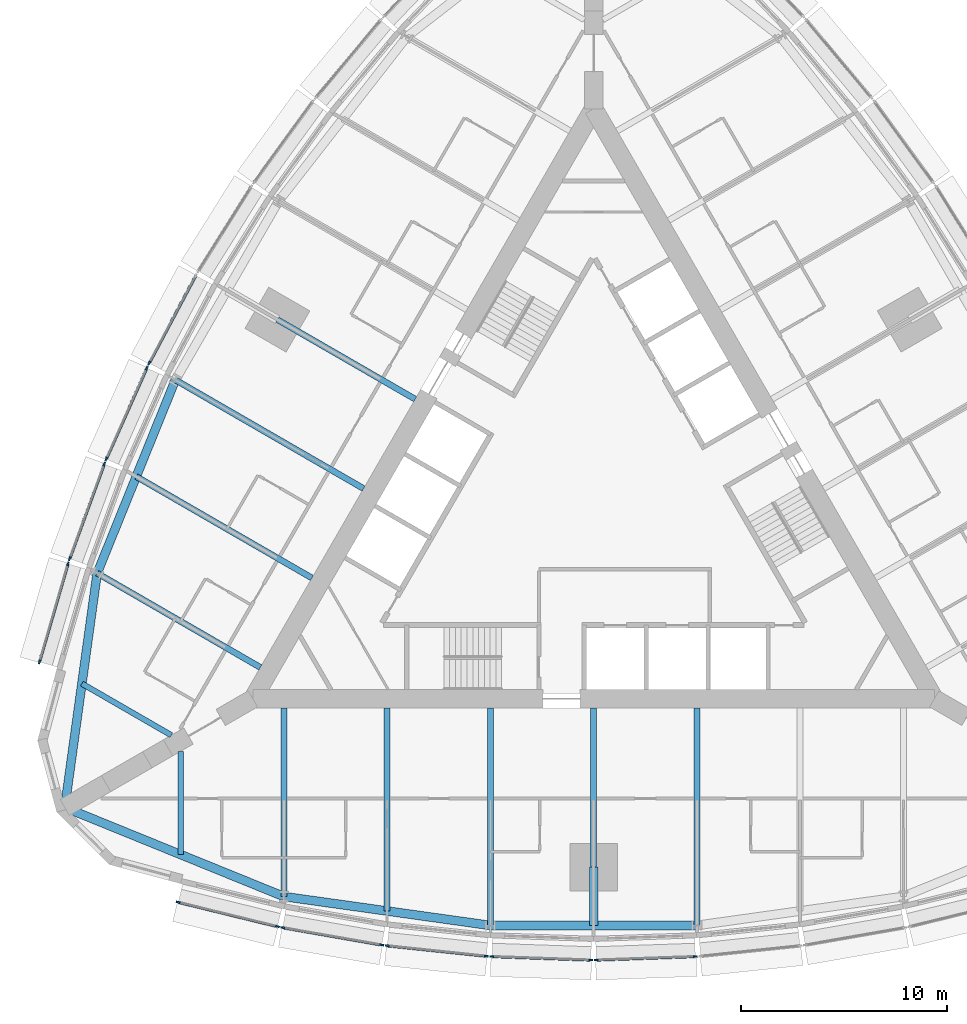
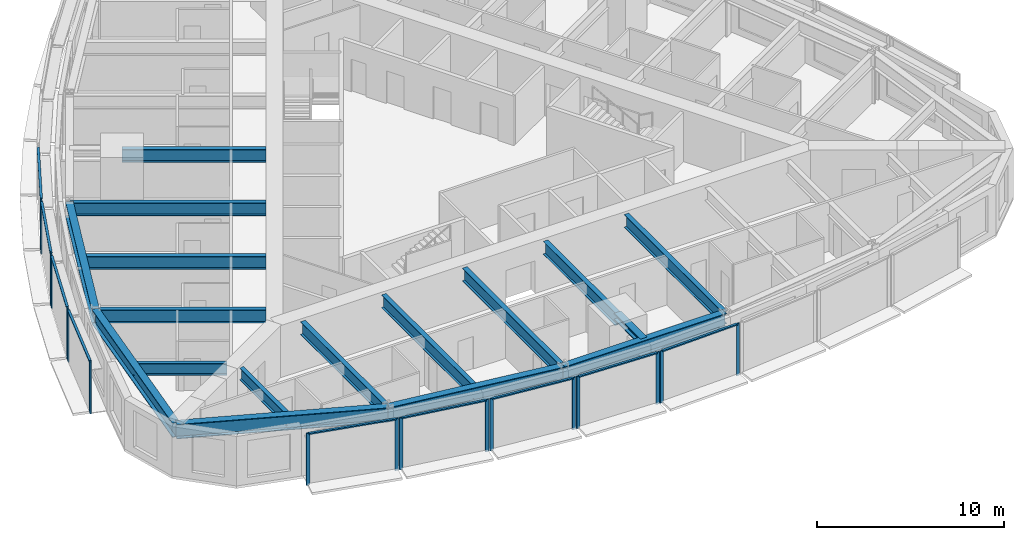
# One storey, part 2 of 14: 26 members, 17 beams, 9 elements without a shape of their own.
"""IFC4 building model written with IfcOpenShell, lengths in metres."""

from ifc_helpers import new_model, si_unit, direction, frame, origin, origin_2d, place, context, subcontext, project, spatial, rectangle, i_section, extrude, material, material_profile, profile_set, type_object, element, aggregate, save


model = new_model("IFC4")

# Units and contexts
model_context = context("Model", 3, precision=1e-05, world=origin(), true_north=direction((0.0, 1.0)))
body_context = subcontext(model_context, "Body", "Model", "MODEL_VIEW")
ifc_project = project(units=[si_unit("LENGTHUNIT", "METRE"), si_unit("AREAUNIT", "SQUARE_METRE"), si_unit("VOLUMEUNIT", "CUBIC_METRE"), si_unit("PLANEANGLEUNIT", "RADIAN"), si_unit("MASSUNIT", "GRAM", prefix="KILO")], contexts=[model_context])

# Site, building, storey
site_placement = place(None, origin())
site = spatial("IfcSite", under=ifc_project, at=site_placement, CompositionType="ELEMENT")
building_placement = place(site_placement, origin())
building = spatial("IfcBuilding", under=site, at=building_placement, Name="Trikona Tower", CompositionType="ELEMENT")
storey_placement = place(building_placement, frame((0.0, 0.0, 138.5)))
storey = spatial("IfcBuildingStorey", under=building, at=storey_placement, Name="L36", CompositionType="ELEMENT", Elevation=138.5)

# Curtain wall, members
ifc_material_1 = material(Name="Aluminium curtain wall system", Category="aluminium")
curtain_wall_type = type_object("IfcCurtainWallType", Name="Curtain wall DS2", PredefinedType="NOTDEFINED", material=ifc_material_1)
curtain_wall_1_placement = place(storey_placement, origin())
curtain_wall_1 = element("IfcCurtainWall", 1, at=curtain_wall_1_placement, inside=storey, type_object=curtain_wall_type, Name="Curtain wall DS2 L36", PredefinedType="NOTDEFINED")
ifc_material_2 = material(Name="Aluminium mullion, pale anodised", Category="aluminium")
ifc_material_profile_1 = material_profile(ifc_material_2, rectangle(XDim=0.080078125, YDim=0.199951171875, at=origin_2d()), Name="MUL-DS2")
ifc_profile_set_1 = profile_set([ifc_material_profile_1], Name="Aluminium mullion, pale anodised")
member_type_1 = type_object("IfcMemberType", Name="Mullion DS2 80x200", PredefinedType="MULLION", material=ifc_profile_set_1)
member_1_placement = place(storey_placement, frame((-20.116943359375, -19.373046875, 0.0), z_axis=(0.0, 0.0, 1.0), x_axis=(0.237970204243, 0.971272455026, 0.0)))
member_1 = element("IfcMember", 2, at=member_1_placement, type_object=member_type_1, Name="CW-DS2 mullion 1", PredefinedType="MULLION", context=body_context, shape_type="SweptSolid", body=[
    extrude(rectangle(XDim=0.080078125, YDim=0.199951171875, at=origin_2d()), origin(), (0.0, 0.0, 1.0), 3.39990234375),
])
member_2_placement = place(storey_placement, frame((-15.311279296875, -20.550537109375, 0.0), z_axis=(0.0, 0.0, 1.0), x_axis=(0.237970204243, 0.971272455026, 0.0)))
member_2 = element("IfcMember", 3, at=member_2_placement, type_object=member_type_1, Name="CW-DS2 mullion 2", PredefinedType="MULLION", context=body_context, shape_type="SweptSolid", body=[
    extrude(rectangle(XDim=0.080078125, YDim=0.199951171875, at=origin_2d()), origin(), (0.0, 0.0, 1.0), 3.39990234375),
])

curtain_wall_2_placement = place(storey_placement, origin())
curtain_wall_2 = element("IfcCurtainWall", 4, at=curtain_wall_2_placement, inside=storey, type_object=curtain_wall_type, Name="Curtain wall DS2 L36", PredefinedType="NOTDEFINED")
member_3_placement = place(storey_placement, frame((-15.056640625, -20.60400390625, 0.0), z_axis=(0.0, 0.0, 1.0), x_axis=(0.17237739505, 0.985030981074, 0.0)))
member_3 = element("IfcMember", 5, at=member_3_placement, type_object=member_type_1, Name="CW-DS2 mullion 1", PredefinedType="MULLION", context=body_context, shape_type="SweptSolid", body=[
    extrude(rectangle(XDim=0.080078125, YDim=0.199951171875, at=origin_2d()), origin(), (0.0, 0.0, 1.0), 3.39990234375),
])
member_4_placement = place(storey_placement, frame((-10.253662109375, -21.444580078125, 0.0), z_axis=(0.0, 0.0, 1.0), x_axis=(0.17237739505, 0.985030981074, 0.0)))
member_4 = element("IfcMember", 6, at=member_4_placement, type_object=member_type_1, Name="CW-DS2 mullion 2", PredefinedType="MULLION", context=body_context, shape_type="SweptSolid", body=[
    extrude(rectangle(XDim=0.080078125, YDim=0.199951171875, at=origin_2d()), origin(), (0.0, 0.0, 1.0), 3.39990234375),
])

curtain_wall_3_placement = place(storey_placement, origin())
curtain_wall_3 = element("IfcCurtainWall", 7, at=curtain_wall_3_placement, inside=storey, type_object=curtain_wall_type, Name="Curtain wall DS2 L36", PredefinedType="NOTDEFINED")
member_5_placement = place(storey_placement, frame((-9.99462890625, -21.480712890625, 0.0), z_axis=(0.0, 0.0, 1.0), x_axis=(0.104433387357, 0.994531883654, 0.0)))
member_5 = element("IfcMember", 8, at=member_5_placement, type_object=member_type_1, Name="CW-DS2 mullion 1", PredefinedType="MULLION", context=body_context, shape_type="SweptSolid", body=[
    extrude(rectangle(XDim=0.080078125, YDim=0.199951171875, at=origin_2d()), origin(), (0.0, 0.0, 1.0), 3.39990234375),
])
member_6_placement = place(storey_placement, frame((-5.193359375, -21.98486328125, 0.0), z_axis=(0.0, 0.0, 1.0), x_axis=(0.104433387357, 0.994531883654, 0.0)))
member_6 = element("IfcMember", 9, at=member_6_placement, type_object=member_type_1, Name="CW-DS2 mullion 2", PredefinedType="MULLION", context=body_context, shape_type="SweptSolid", body=[
    extrude(rectangle(XDim=0.080078125, YDim=0.199951171875, at=origin_2d()), origin(), (0.0, 0.0, 1.0), 3.39990234375),
])

curtain_wall_4_placement = place(storey_placement, origin())
curtain_wall_4 = element("IfcCurtainWall", 10, at=curtain_wall_4_placement, inside=storey, type_object=curtain_wall_type, Name="Curtain wall DS2 L36", PredefinedType="NOTDEFINED")
member_7_placement = place(storey_placement, frame((-4.931640625, -22.003173828125, 0.0), z_axis=(0.0, 0.0, 1.0), x_axis=(0.034998320052, 0.99938737114, 0.0)))
member_7 = element("IfcMember", 11, at=member_7_placement, type_object=member_type_1, Name="CW-DS2 mullion 1", PredefinedType="MULLION", context=body_context, shape_type="SweptSolid", body=[
    extrude(rectangle(XDim=0.080078125, YDim=0.199951171875, at=origin_2d()), origin(), (0.0, 0.0, 1.0), 3.39990234375),
])
member_8_placement = place(storey_placement, frame((-0.13134765625, -22.171142578125, 0.0), z_axis=(0.0, 0.0, 1.0), x_axis=(0.034998320052, 0.99938737114, 0.0)))
member_8 = element("IfcMember", 12, at=member_8_placement, type_object=member_type_1, Name="CW-DS2 mullion 2", PredefinedType="MULLION", context=body_context, shape_type="SweptSolid", body=[
    extrude(rectangle(XDim=0.080078125, YDim=0.199951171875, at=origin_2d()), origin(), (0.0, 0.0, 1.0), 3.39990234375),
])

curtain_wall_5_placement = place(storey_placement, origin())
curtain_wall_5 = element("IfcCurtainWall", 13, at=curtain_wall_5_placement, inside=storey, type_object=curtain_wall_type, Name="Curtain wall DS2 L36", PredefinedType="NOTDEFINED")
member_9_placement = place(storey_placement, frame((0.13134765625, -22.171142578125, 0.0), z_axis=(0.0, 0.0, 1.0), x_axis=(-0.034998320052, 0.99938737114, 0.0)))
member_9 = element("IfcMember", 14, at=member_9_placement, type_object=member_type_1, Name="CW-DS2 mullion 1", PredefinedType="MULLION", context=body_context, shape_type="SweptSolid", body=[
    extrude(rectangle(XDim=0.080078125, YDim=0.199951171875, at=origin_2d()), origin(), (0.0, 0.0, 1.0), 3.39990234375),
])
member_10_placement = place(storey_placement, frame((4.931640625, -22.003173828125, 0.0), z_axis=(0.0, 0.0, 1.0), x_axis=(-0.034998320052, 0.99938737114, 0.0)))
member_10 = element("IfcMember", 15, at=member_10_placement, type_object=member_type_1, Name="CW-DS2 mullion 2", PredefinedType="MULLION", context=body_context, shape_type="SweptSolid", body=[
    extrude(rectangle(XDim=0.080078125, YDim=0.199951171875, at=origin_2d()), origin(), (0.0, 0.0, 1.0), 3.39990234375),
])

# Curtain wall, member
curtain_wall_6_placement = place(storey_placement, origin())
curtain_wall_6 = element("IfcCurtainWall", 16, at=curtain_wall_6_placement, inside=storey, type_object=curtain_wall_type, Name="Curtain wall DS2 L36", PredefinedType="NOTDEFINED")
member_11_placement = place(storey_placement, frame((-21.52099609375, 6.730712890625, 0.0), z_axis=(0.0, 0.0, 1.0), x_axis=(0.882996107343, -0.469380308937, 0.0)))
member_11 = element("IfcMember", 17, at=member_11_placement, type_object=member_type_1, Name="CW-DS2 mullion 2", PredefinedType="MULLION", context=body_context, shape_type="SweptSolid", body=[
    extrude(rectangle(XDim=0.080078125, YDim=0.199951171875, at=origin_2d()), origin(), (0.0, 0.0, 1.0), 3.39990234375),
])

# Curtain wall, members
curtain_wall_7_placement = place(storey_placement, origin())
curtain_wall_7 = element("IfcCurtainWall", 18, at=curtain_wall_7_placement, inside=storey, type_object=curtain_wall_type, Name="Curtain wall DS2 L36", PredefinedType="NOTDEFINED")
member_12_placement = place(storey_placement, frame((-21.63623046875, 6.494873046875, 0.0), z_axis=(0.0, 0.0, 1.0), x_axis=(0.913501208767, -0.406836013132, 0.0)))
member_12 = element("IfcMember", 19, at=member_12_placement, type_object=member_type_1, Name="CW-DS2 mullion 1", PredefinedType="MULLION", context=body_context, shape_type="SweptSolid", body=[
    extrude(rectangle(XDim=0.080078125, YDim=0.199951171875, at=origin_2d()), origin(), (0.0, 0.0, 1.0), 3.39990234375),
])
member_13_placement = place(storey_placement, frame((-23.60009765625, 2.0849609375, 0.0), z_axis=(0.0, 0.0, 1.0), x_axis=(0.913501208767, -0.406836013132, 0.0)))
member_13 = element("IfcMember", 20, at=member_13_placement, type_object=member_type_1, Name="CW-DS2 mullion 2", PredefinedType="MULLION", context=body_context, shape_type="SweptSolid", body=[
    extrude(rectangle(XDim=0.080078125, YDim=0.199951171875, at=origin_2d()), origin(), (0.0, 0.0, 1.0), 3.39990234375),
])

curtain_wall_8_placement = place(storey_placement, origin())
curtain_wall_8 = element("IfcCurtainWall", 21, at=curtain_wall_8_placement, inside=storey, type_object=curtain_wall_type, Name="Curtain wall DS2 L36", PredefinedType="NOTDEFINED")
member_14_placement = place(storey_placement, frame((-23.6982421875, 1.84228515625, 0.0), z_axis=(0.0, 0.0, 1.0), x_axis=(0.939253790978, -0.343223420143, 0.0)))
member_14 = element("IfcMember", 22, at=member_14_placement, type_object=member_type_1, Name="CW-DS2 mullion 1", PredefinedType="MULLION", context=body_context, shape_type="SweptSolid", body=[
    extrude(rectangle(XDim=0.080078125, YDim=0.199951171875, at=origin_2d()), origin(), (0.0, 0.0, 1.0), 3.39990234375),
])
member_15_placement = place(storey_placement, frame((-25.371826171875, -2.737548828125, 0.0), z_axis=(0.0, 0.0, 1.0), x_axis=(0.939253790978, -0.343223420143, 0.0)))
member_15 = element("IfcMember", 23, at=member_15_placement, type_object=member_type_1, Name="CW-DS2 mullion 2", PredefinedType="MULLION", context=body_context, shape_type="SweptSolid", body=[
    extrude(rectangle(XDim=0.080078125, YDim=0.199951171875, at=origin_2d()), origin(), (0.0, 0.0, 1.0), 3.39990234375),
])

curtain_wall_9_placement = place(storey_placement, origin())
curtain_wall_9 = element("IfcCurtainWall", 24, at=curtain_wall_9_placement, inside=storey, type_object=curtain_wall_type, Name="Curtain wall DS2 L36", PredefinedType="NOTDEFINED")
member_16_placement = place(storey_placement, frame((-25.452880859375, -2.984619140625, 0.0), z_axis=(0.0, 0.0, 1.0), x_axis=(0.96013310152, -0.279543247757, 0.0)))
member_16 = element("IfcMember", 25, at=member_16_placement, type_object=member_type_1, Name="CW-DS2 mullion 1", PredefinedType="MULLION", context=body_context, shape_type="SweptSolid", body=[
    extrude(rectangle(XDim=0.080078125, YDim=0.199951171875, at=origin_2d()), origin(), (0.0, 0.0, 1.0), 3.39990234375),
])
member_17_placement = place(storey_placement, frame((-26.836181640625, -7.7353515625, 0.0), z_axis=(0.0, 0.0, 1.0), x_axis=(0.96013310152, -0.279543247757, 0.0)))
member_17 = element("IfcMember", 26, at=member_17_placement, type_object=member_type_1, Name="CW-DS2 mullion 2", PredefinedType="MULLION", context=body_context, shape_type="SweptSolid", body=[
    extrude(rectangle(XDim=0.080078125, YDim=0.199951171875, at=origin_2d()), origin(), (0.0, 0.0, 1.0), 3.39990234375),
])

# Beams
ifc_material_3 = material(Name="Steel ASTM A992 Grade 50", Category="steel")
ifc_material_profile_2 = material_profile(ifc_material_3, i_section(OverallWidth=0.419189453125, OverallDepth=0.45458984375, WebThickness=0.042236328125, FlangeThickness=0.067626953125, at=origin_2d()), Name="W14X370")
ifc_profile_set_2 = profile_set([ifc_material_profile_2], Name="Steel ASTM A992 Grade 50")
beam_type_1 = type_object("IfcBeamType", Name="Steel beam W14x370 (apex bracket)", PredefinedType="BEAM", material=ifc_profile_set_2)
beam_1_placement = place(storey_placement, frame((0.0, -17.680419921875, 3.0078125), z_axis=(0.0, -1.0, 0.0), x_axis=(1.0, 0.0, 0.0)))
element("IfcBeam", 27, at=beam_1_placement, inside=storey, type_object=beam_type_1, Name="Cantilever bracket L37 F1", PredefinedType="BEAM", context=body_context, shape_type="SweptSolid", body=[
    extrude(i_section(OverallWidth=0.419189453125, OverallDepth=0.45458984375, WebThickness=0.042236328125, FlangeThickness=0.067626953125, at=origin_2d()), origin(), (0.0, 0.0, 1.0), 2.81982421875),
])
ifc_material_4 = material(Name="Steel ASTM A992 Grade 50", Category="steel")
ifc_material_profile_3 = material_profile(ifc_material_4, i_section(OverallWidth=0.2666015625, OverallDepth=0.76953125, WebThickness=0.015625, FlangeThickness=0.025390625, at=origin_2d()), Name="W30X132")
ifc_profile_set_3 = profile_set([ifc_material_profile_3], Name="Steel ASTM A992 Grade 50")
beam_type_2 = type_object("IfcBeamType", Name="Steel beam W30x132 (wedge)", PredefinedType="BEAM", material=ifc_profile_set_3)
beam_2_placement = place(storey_placement, frame((-20.0, -12.066650390625, 2.85009765625), z_axis=(0.0, -1.0, 0.0), x_axis=(1.0, 0.0, 0.0)))
element("IfcBeam", 28, at=beam_2_placement, inside=storey, type_object=beam_type_2, Name="Floor beam L37 F1 u-20", PredefinedType="BEAM", context=body_context, shape_type="SweptSolid", body=[
    extrude(i_section(OverallWidth=0.2666015625, OverallDepth=0.76953125, WebThickness=0.015625, FlangeThickness=0.025390625, at=origin_2d()), origin(), (0.0, 0.0, 1.0), 5.00048828125),
])
beam_3_placement = place(storey_placement, frame((-20.449951171875, -11.287109375, 2.85009765625), z_axis=(-0.866038434829, 0.49997742889, 0.0), x_axis=(-0.49997742889, -0.866038434829, 0.0)))
element("IfcBeam", 29, at=beam_3_placement, inside=storey, type_object=beam_type_2, Name="Floor beam L37 F3 u20", PredefinedType="BEAM", context=body_context, shape_type="SweptSolid", body=[
    extrude(i_section(OverallWidth=0.2666015625, OverallDepth=0.76953125, WebThickness=0.015625, FlangeThickness=0.025390625, at=origin_2d()), origin(), (0.0, 0.0, 1.0), 5.000732421875),
])
ifc_material_5 = material(Name="Steel ASTM A992 Grade 50", Category="steel")
ifc_material_profile_4 = material_profile(ifc_material_5, i_section(OverallWidth=0.2919921875, OverallDepth=0.845703125, WebThickness=0.015380859375, FlangeThickness=0.0244140625, at=origin_2d()), Name="W33X141")
ifc_profile_set_4 = profile_set([ifc_material_profile_4], Name="Steel ASTM A992 Grade 50")
beam_type_3 = type_object("IfcBeamType", Name="Steel beam W33x141 (radial typ)", PredefinedType="BEAM", material=ifc_profile_set_4)
beam_4_placement = place(storey_placement, frame((-15.0, -9.976318359375, 2.81201171875), z_axis=(0.0, -1.0, 0.0), x_axis=(1.0, 0.0, 0.0)))
element("IfcBeam", 30, at=beam_4_placement, inside=storey, type_object=beam_type_3, Name="Floor beam L37 F1 u-15", PredefinedType="BEAM", context=body_context, shape_type="SweptSolid", body=[
    extrude(i_section(OverallWidth=0.2919921875, OverallDepth=0.845703125, WebThickness=0.015380859375, FlangeThickness=0.0244140625, at=origin_2d()), origin(), (0.0, 0.0, 1.0), 9.123779296875),
])
beam_5_placement = place(storey_placement, frame((-10.0, -9.976318359375, 2.81201171875), z_axis=(0.0, -1.0, 0.0), x_axis=(1.0, 0.0, 0.0)))
element("IfcBeam", 31, at=beam_5_placement, inside=storey, type_object=beam_type_3, Name="Floor beam L37 F1 u-10", PredefinedType="BEAM", context=body_context, shape_type="SweptSolid", body=[
    extrude(i_section(OverallWidth=0.2919921875, OverallDepth=0.845703125, WebThickness=0.015380859375, FlangeThickness=0.0244140625, at=origin_2d()), origin(), (0.0, 0.0, 1.0), 9.823974609375),
])
beam_6_placement = place(storey_placement, frame((-5.0, -9.976318359375, 2.81201171875), z_axis=(0.0, -1.0, 0.0), x_axis=(1.0, 0.0, 0.0)))
element("IfcBeam", 32, at=beam_6_placement, inside=storey, type_object=beam_type_3, Name="Floor beam L37 F1 u-5", PredefinedType="BEAM", context=body_context, shape_type="SweptSolid", body=[
    extrude(i_section(OverallWidth=0.2919921875, OverallDepth=0.845703125, WebThickness=0.015380859375, FlangeThickness=0.0244140625, at=origin_2d()), origin(), (0.0, 0.0, 1.0), 10.52392578125),
])
beam_7_placement = place(storey_placement, frame((0.0, -9.976318359375, 2.81201171875), z_axis=(0.0, -1.0, 0.0), x_axis=(1.0, 0.0, 0.0)))
element("IfcBeam", 33, at=beam_7_placement, inside=storey, type_object=beam_type_3, Name="Floor beam L37 F1 u0", PredefinedType="BEAM", context=body_context, shape_type="SweptSolid", body=[
    extrude(i_section(OverallWidth=0.2919921875, OverallDepth=0.845703125, WebThickness=0.015380859375, FlangeThickness=0.0244140625, at=origin_2d()), origin(), (0.0, 0.0, 1.0), 7.7041015625),
])
beam_8_placement = place(storey_placement, frame((5.0, -9.976318359375, 2.81201171875), z_axis=(0.0, -1.0, 0.0), x_axis=(1.0, 0.0, 0.0)))
element("IfcBeam", 34, at=beam_8_placement, inside=storey, type_object=beam_type_3, Name="Floor beam L37 F1 u5", PredefinedType="BEAM", context=body_context, shape_type="SweptSolid", body=[
    extrude(i_section(OverallWidth=0.2919921875, OverallDepth=0.845703125, WebThickness=0.015380859375, FlangeThickness=0.0244140625, at=origin_2d()), origin(), (0.0, 0.0, 1.0), 10.52392578125),
])
beam_9_placement = place(storey_placement, frame((-8.6396484375, 4.988037109375, 2.81201171875), z_axis=(-0.866017246294, 0.500014128921, 0.0), x_axis=(-0.500014128921, -0.866017246294, 0.0)))
element("IfcBeam", 35, at=beam_9_placement, inside=storey, type_object=beam_type_3, Name="Floor beam L37 F3 u0", PredefinedType="BEAM", context=body_context, shape_type="SweptSolid", body=[
    extrude(i_section(OverallWidth=0.2919921875, OverallDepth=0.845703125, WebThickness=0.015380859375, FlangeThickness=0.0244140625, at=origin_2d()), origin(), (0.0, 0.0, 1.0), 7.704345703125),
])
beam_10_placement = place(storey_placement, frame((-11.1396484375, 0.657958984375, 2.81201171875), z_axis=(-0.866026035623, 0.499998905622, 0.0), x_axis=(-0.499998905622, -0.866026035623, 0.0)))
element("IfcBeam", 36, at=beam_10_placement, inside=storey, type_object=beam_type_3, Name="Floor beam L37 F3 u5", PredefinedType="BEAM", context=body_context, shape_type="SweptSolid", body=[
    extrude(i_section(OverallWidth=0.2919921875, OverallDepth=0.845703125, WebThickness=0.015380859375, FlangeThickness=0.0244140625, at=origin_2d()), origin(), (0.0, 0.0, 1.0), 10.52392578125),
])
beam_11_placement = place(storey_placement, frame((-13.6396484375, -3.672119140625, 2.81201171875), z_axis=(-0.866020046725, 0.500009278584, 0.0), x_axis=(-0.500009278584, -0.866020046725, 0.0)))
element("IfcBeam", 37, at=beam_11_placement, inside=storey, type_object=beam_type_3, Name="Floor beam L37 F3 u10", PredefinedType="BEAM", context=body_context, shape_type="SweptSolid", body=[
    extrude(i_section(OverallWidth=0.2919921875, OverallDepth=0.845703125, WebThickness=0.015380859375, FlangeThickness=0.0244140625, at=origin_2d()), origin(), (0.0, 0.0, 1.0), 9.823974609375),
])
beam_12_placement = place(storey_placement, frame((-16.1396484375, -8.002197265625, 2.81201171875), z_axis=(-0.866024725532, 0.500001174766, 0.0), x_axis=(-0.500001174766, -0.866024725532, 0.0)))
element("IfcBeam", 38, at=beam_12_placement, inside=storey, type_object=beam_type_3, Name="Floor beam L37 F3 u15", PredefinedType="BEAM", context=body_context, shape_type="SweptSolid", body=[
    extrude(i_section(OverallWidth=0.2919921875, OverallDepth=0.845703125, WebThickness=0.015380859375, FlangeThickness=0.0244140625, at=origin_2d()), origin(), (0.0, 0.0, 1.0), 9.1240234375),
])
ifc_material_6 = material(Name="Steel ASTM A992 Grade 50", Category="steel")
ifc_material_profile_5 = material_profile(ifc_material_6, i_section(OverallWidth=0.424072265625, OverallDepth=0.947509765625, WebThickness=0.02392578125, FlangeThickness=0.042724609375, at=origin_2d()), Name="W36X302")
ifc_profile_set_5 = profile_set([ifc_material_profile_5], Name="Steel ASTM A992 Grade 50")
beam_type_4 = type_object("IfcBeamType", Name="Steel beam W36x302 (spandrel)", PredefinedType="SPANDREL", material=ifc_profile_set_5)
beam_13_placement = place(storey_placement, frame((-25.6103515625, -14.7861328125, 2.76123046875), z_axis=(0.926359695662, -0.376640032728, 0.0), x_axis=(0.376640032728, 0.926359695662, 0.0)))
element("IfcBeam", 39, at=beam_13_placement, inside=storey, type_object=beam_type_4, Name="Spandrel beam L37 F1-1", PredefinedType="SPANDREL", context=body_context, shape_type="SweptSolid", body=[
    extrude(i_section(OverallWidth=0.424072265625, OverallDepth=0.947509765625, WebThickness=0.02392578125, FlangeThickness=0.042724609375, at=origin_2d()), origin(), (0.0, 0.0, 1.0), 11.453857421875),
])
beam_14_placement = place(storey_placement, frame((-15.0, -19.10009765625, 2.76123046875), z_axis=(0.990339754644, -0.13866207258, 0.0), x_axis=(0.13866207258, 0.990339754644, 0.0)))
element("IfcBeam", 40, at=beam_14_placement, inside=storey, type_object=beam_type_4, Name="Spandrel beam L37 F1-2", PredefinedType="SPANDREL", context=body_context, shape_type="SweptSolid", body=[
    extrude(i_section(OverallWidth=0.424072265625, OverallDepth=0.947509765625, WebThickness=0.02392578125, FlangeThickness=0.042724609375, at=origin_2d()), origin(), (0.0, 0.0, 1.0), 10.09765625),
])
beam_15_placement = place(storey_placement, frame((-5.0, -20.500244140625, 2.76123046875), z_axis=(1.0, 0.0, 0.0), x_axis=(0.0, 1.0, 0.0)))
element("IfcBeam", 41, at=beam_15_placement, inside=storey, type_object=beam_type_4, Name="Spandrel beam L37 F1-3", PredefinedType="SPANDREL", context=body_context, shape_type="SweptSolid", body=[
    extrude(i_section(OverallWidth=0.424072265625, OverallDepth=0.947509765625, WebThickness=0.02392578125, FlangeThickness=0.042724609375, at=origin_2d()), origin(), (0.0, 0.0, 1.0), 10.0),
])
beam_16_placement = place(storey_placement, frame((-20.253662109375, 5.919921875, 2.76123046875), z_axis=(-0.375106193787, -0.926981846307, 0.0), x_axis=(0.926981846307, -0.375106193787, 0.0)))
element("IfcBeam", 42, at=beam_16_placement, inside=storey, type_object=beam_type_4, Name="Spandrel beam L37 F3-4", PredefinedType="SPANDREL", context=body_context, shape_type="SweptSolid", body=[
    extrude(i_section(OverallWidth=0.424072265625, OverallDepth=0.947509765625, WebThickness=0.02392578125, FlangeThickness=0.042724609375, at=origin_2d()), origin(), (0.0, 0.0, 1.0), 10.097412109375),
])
beam_17_placement = place(storey_placement, frame((-24.041259765625, -3.440185546875, 2.76123046875), z_axis=(-0.136991535842, -0.990572218017, 0.0), x_axis=(0.990572218017, -0.136991535842, 0.0)))
element("IfcBeam", 43, at=beam_17_placement, inside=storey, type_object=beam_type_4, Name="Spandrel beam L37 F3-5", PredefinedType="SPANDREL", context=body_context, shape_type="SweptSolid", body=[
    extrude(i_section(OverallWidth=0.424072265625, OverallDepth=0.947509765625, WebThickness=0.02392578125, FlangeThickness=0.042724609375, at=origin_2d()), origin(), (0.0, 0.0, 1.0), 11.453857421875),
])

# Member
ifc_material_7 = material(Name="Aluminium transom, pale anodised", Category="aluminium")
ifc_material_profile_6 = material_profile(ifc_material_7, rectangle(XDim=0.139892578125, YDim=0.080078125, at=origin_2d()), Name="TRN-DS2")
ifc_profile_set_6 = profile_set([ifc_material_profile_6], Name="Aluminium transom, pale anodised")
member_type_2 = type_object("IfcMemberType", Name="Transom DS2 80x140", PredefinedType="USERDEFINED", material=ifc_profile_set_6)
member_18_placement = place(storey_placement, frame((-20.078125, -19.382568359375, 3.360107421875), z_axis=(0.971270583303, -0.237977843528, 0.0), x_axis=(0.237977843528, 0.971270583303, 0.0)))
member_18 = element("IfcMember", 44, at=member_18_placement, type_object=member_type_2, Name="CW-DS2 transom 1.1", ObjectType="TRANSOM", PredefinedType="USERDEFINED", context=body_context, shape_type="SweptSolid", body=[
    extrude(rectangle(XDim=0.139892578125, YDim=0.080078125, at=origin_2d()), origin(), (0.0, 0.0, 1.0), 4.867919921875),
])

aggregate(curtain_wall_1, [member_1, member_2, member_18])

member_19_placement = place(storey_placement, frame((-15.01708984375, -20.61083984375, 3.360107421875), z_axis=(0.98503262804, -0.172367983387, 0.0), x_axis=(0.172367983387, 0.98503262804, 0.0)))
member_19 = element("IfcMember", 45, at=member_19_placement, type_object=member_type_2, Name="CW-DS2 transom 1.1", ObjectType="TRANSOM", PredefinedType="USERDEFINED", context=body_context, shape_type="SweptSolid", body=[
    extrude(rectangle(XDim=0.139892578125, YDim=0.080078125, at=origin_2d()), origin(), (0.0, 0.0, 1.0), 4.7958984375),
])

aggregate(curtain_wall_2, [member_3, member_4, member_19])

member_20_placement = place(storey_placement, frame((-9.954833984375, -21.48486328125, 3.360107421875), z_axis=(0.99453106441, -0.104441188822, 0.0), x_axis=(0.104441188822, 0.99453106441, 0.0)))
member_20 = element("IfcMember", 46, at=member_20_placement, type_object=member_type_2, Name="CW-DS2 transom 1.1", ObjectType="TRANSOM", PredefinedType="USERDEFINED", context=body_context, shape_type="SweptSolid", body=[
    extrude(rectangle(XDim=0.139892578125, YDim=0.080078125, at=origin_2d()), origin(), (0.0, 0.0, 1.0), 4.74755859375),
])

aggregate(curtain_wall_3, [member_5, member_6, member_20])

member_21_placement = place(storey_placement, frame((-4.8916015625, -22.00439453125, 3.360107421875), z_axis=(0.999385692759, -0.035046213908, 0.0), x_axis=(0.035046213908, 0.999385692759, 0.0)))
member_21 = element("IfcMember", 47, at=member_21_placement, type_object=member_type_2, Name="CW-DS2 transom 1.1", ObjectType="TRANSOM", PredefinedType="USERDEFINED", context=body_context, shape_type="SweptSolid", body=[
    extrude(rectangle(XDim=0.139892578125, YDim=0.080078125, at=origin_2d()), origin(), (0.0, 0.0, 1.0), 4.72314453125),
])

aggregate(curtain_wall_4, [member_7, member_8, member_21])

member_22_placement = place(storey_placement, frame((0.17138671875, -22.169921875, 3.360107421875), z_axis=(0.999385692759, 0.035046213908, 0.0), x_axis=(-0.035046213908, 0.999385692759, 0.0)))
member_22 = element("IfcMember", 48, at=member_22_placement, type_object=member_type_2, Name="CW-DS2 transom 1.1", ObjectType="TRANSOM", PredefinedType="USERDEFINED", context=body_context, shape_type="SweptSolid", body=[
    extrude(rectangle(XDim=0.139892578125, YDim=0.080078125, at=origin_2d()), origin(), (0.0, 0.0, 1.0), 4.72314453125),
])

aggregate(curtain_wall_5, [member_9, member_10, member_22])

member_23_placement = place(storey_placement, frame((-19.285400390625, 10.9365234375, 3.360107421875), z_axis=(-0.469364343408, -0.883004594063, 0.0), x_axis=(0.883004594063, -0.469364343408, 0.0)))
member_23 = element("IfcMember", 49, at=member_23_placement, type_object=member_type_2, Name="CW-DS2 transom 1.1", ObjectType="TRANSOM", PredefinedType="USERDEFINED", context=body_context, shape_type="SweptSolid", body=[
    extrude(rectangle(XDim=0.139892578125, YDim=0.080078125, at=origin_2d()), origin(), (0.0, 0.0, 1.0), 4.722900390625),
])

aggregate(curtain_wall_6, [member_11, member_23])

member_24_placement = place(storey_placement, frame((-21.65234375, 6.458251953125, 3.360107421875), z_axis=(-0.406839769607, -0.913499535778, 0.0), x_axis=(0.913499535778, -0.406839769607, 0.0)))
member_24 = element("IfcMember", 50, at=member_24_placement, type_object=member_type_2, Name="CW-DS2 transom 1.1", ObjectType="TRANSOM", PredefinedType="USERDEFINED", context=body_context, shape_type="SweptSolid", body=[
    extrude(rectangle(XDim=0.139892578125, YDim=0.080078125, at=origin_2d()), origin(), (0.0, 0.0, 1.0), 4.747314453125),
])

aggregate(curtain_wall_7, [member_12, member_13, member_24])

member_25_placement = place(storey_placement, frame((-23.712158203125, 1.8046875, 3.360107421875), z_axis=(-0.343205907674, -0.939260190223, 0.0), x_axis=(0.939260190223, -0.343205907674, 0.0)))
member_25 = element("IfcMember", 51, at=member_25_placement, type_object=member_type_2, Name="CW-DS2 transom 1.1", ObjectType="TRANSOM", PredefinedType="USERDEFINED", context=body_context, shape_type="SweptSolid", body=[
    extrude(rectangle(XDim=0.139892578125, YDim=0.080078125, at=origin_2d()), origin(), (0.0, 0.0, 1.0), 4.7958984375),
])

aggregate(curtain_wall_8, [member_14, member_15, member_25])

member_26_placement = place(storey_placement, frame((-25.464111328125, -3.023193359375, 3.360107421875), z_axis=(-0.279566628153, -0.960126293996, 0.0), x_axis=(0.960126293996, -0.279566628153, 0.0)))
member_26 = element("IfcMember", 52, at=member_26_placement, type_object=member_type_2, Name="CW-DS2 transom 1.1", ObjectType="TRANSOM", PredefinedType="USERDEFINED", context=body_context, shape_type="SweptSolid", body=[
    extrude(rectangle(XDim=0.139892578125, YDim=0.080078125, at=origin_2d()), origin(), (0.0, 0.0, 1.0), 4.86767578125),
])

aggregate(curtain_wall_9, [member_16, member_17, member_26])

save(model, "model.ifc")
